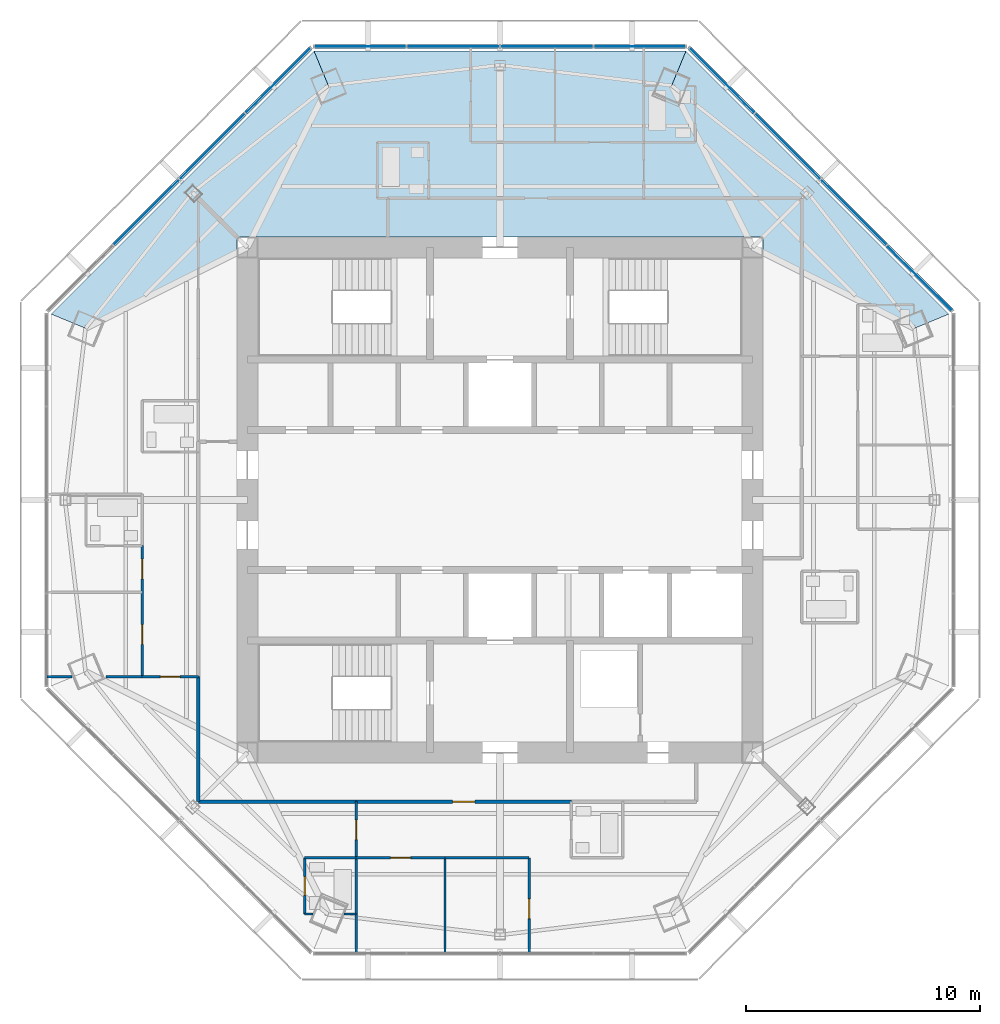
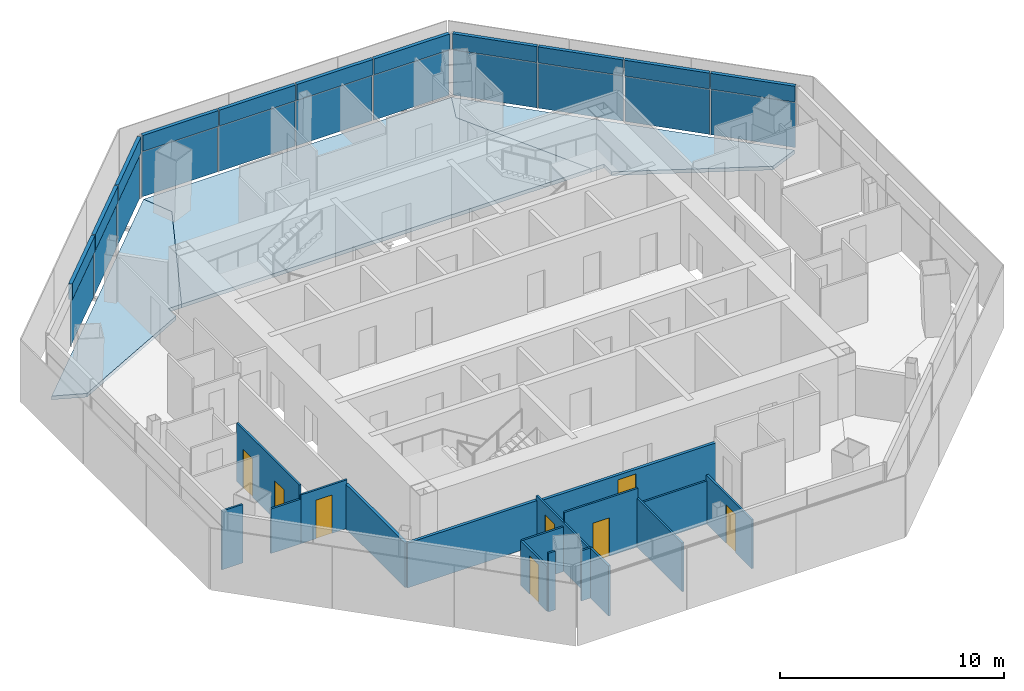
# One storey, part 8 of 15: 22 plates, 17 walls, 8 doors, 3 slabs, 8 openings, 3 elements without a shape of their own.
"""IFC4 building model written with IfcOpenShell, lengths in metres."""

from ifc_helpers import new_model, si_unit, direction, frame, frame_2d, origin, origin_2d, place, context, subcontext, project, spatial, polyline, rectangle, outline, extrude, source, transform, mapped, material, layer, layer_set, type_object, type_shapes, element, fill, aggregate, save


model = new_model("IFC4")

# Units and contexts
model_context = context("Model", 3, precision=1e-05, world=origin(), true_north=direction((0.0, 1.0)))
body_context = subcontext(model_context, "Body", "Model", "MODEL_VIEW")
ifc_project = project(units=[si_unit("LENGTHUNIT", "METRE"), si_unit("AREAUNIT", "SQUARE_METRE"), si_unit("VOLUMEUNIT", "CUBIC_METRE"), si_unit("PLANEANGLEUNIT", "RADIAN"), si_unit("MASSUNIT", "GRAM", prefix="KILO")], contexts=[model_context])

# Site, building, storey
site_placement = place(None, origin())
site = spatial("IfcSite", under=ifc_project, at=site_placement, CompositionType="ELEMENT")
building_placement = place(site_placement, origin())
building = spatial("IfcBuilding", under=site, at=building_placement, Name="Mashrafa Tower", CompositionType="ELEMENT")
storey_placement = place(building_placement, frame((0.0, 0.0, 304.800048828125)))
storey = spatial("IfcBuildingStorey", under=building, at=storey_placement, Name="L75", CompositionType="ELEMENT", Elevation=304.800048828125)

# Slabs
ifc_material_1 = material(Name="Concrete C35/45", Category="concrete")
ifc_layer_1 = layer(ifc_material_1, 0.199951171875)
ifc_layer_set_1 = layer_set([ifc_layer_1], Name="Floor slab 200")
slab_type = type_object("IfcSlabType", Name="Floor slab 200", PredefinedType="FLOOR", material=ifc_layer_set_1)
slab_1_placement = place(storey_placement, frame((0.0, 0.0, -0.199951171875)))
element("IfcSlab", 1, at=slab_1_placement, inside=storey, type_object=slab_type, Name="Floor slab L75 north-east bay", PredefinedType="FLOOR", context=body_context, shape_type="SweptSolid", body=[
    extrude(outline(polyline([(19.1923828125, 7.94970703125), (17.7197265625, 7.33984375), (11.25, 10.574951171875), (11.25, 11.25), (10.574951171875, 11.25), (7.33984375, 17.7197265625), (7.94970703125, 19.1923828125), (19.1923828125, 7.94970703125)])), origin(), (0.0, 0.0, 1.0), 0.199951171875),
])
slab_2_placement = place(storey_placement, frame((0.0, 0.0, -0.199951171875)))
element("IfcSlab", 2, at=slab_2_placement, inside=storey, type_object=slab_type, Name="Floor slab L75 north bay", PredefinedType="FLOOR", context=body_context, shape_type="SweptSolid", body=[
    extrude(outline(polyline([(-7.94970703125, 19.1923828125), (7.94970703125, 19.1923828125), (7.94970703125, 19.1923828125), (7.33984375, 17.7197265625), (10.574951171875, 11.25), (-10.574951171875, 11.25), (-7.33984375, 17.7197265625), (-7.94970703125, 19.1923828125), (-7.94970703125, 19.1923828125)])), origin(), (0.0, 0.0, 1.0), 0.199951171875),
])
slab_3_placement = place(storey_placement, frame((0.0, 0.0, -0.199951171875)))
element("IfcSlab", 3, at=slab_3_placement, inside=storey, type_object=slab_type, Name="Floor slab L75 north-west bay", PredefinedType="FLOOR", context=body_context, shape_type="SweptSolid", body=[
    extrude(outline(polyline([(-7.94970703125, 19.1923828125), (-7.33984375, 17.7197265625), (-10.574951171875, 11.25), (-11.25, 11.25), (-11.25, 10.574951171875), (-17.7197265625, 7.33984375), (-19.1923828125, 7.94970703125), (-7.94970703125, 19.1923828125)])), origin(), (0.0, 0.0, 1.0), 0.199951171875),
])

# Curtain wall, plates
ifc_material_2 = material(Name="Unitised aluminium curtain wall", Category="aluminium")
curtain_wall_type = type_object("IfcCurtainWallType", Name="Apartment curtain wall, zone 4 CW-D 160 deep", PredefinedType="NOTDEFINED", material=ifc_material_2)
curtain_wall_1_placement = place(storey_placement, origin())
curtain_wall_1 = element("IfcCurtainWall", 4, at=curtain_wall_1_placement, inside=storey, type_object=curtain_wall_type, Name="Apartment curtain wall, zone 4 L75 north-east", PredefinedType="NOTDEFINED")
ifc_material_3 = material(Name="Insulated double glazing, acoustic", Category="glass")
ifc_layer_2 = layer(ifc_material_3, 0.028076171875)
ifc_layer_set_2 = layer_set([ifc_layer_2], Name="Vision panel CW-D 28")
plate_type_1 = type_object("IfcPlateType", Name="Vision panel CW-D 28", PredefinedType="CURTAIN_PANEL", material=ifc_layer_set_2)
shared_shape_1 = source(origin(), body_context, "Body", "SweptSolid", [
    extrude(rectangle(XDim=3.90478515625, YDim=0.028076171875, at=origin_2d()), origin(), (0.0, 0.0, 1.0), 2.46240234375),
])
plate_1_placement = place(storey_placement, frame((17.93896484375, 9.486083984375, 0.0), z_axis=(0.0, 0.0, 1.0), x_axis=(-0.707106781187, 0.707106781187, 0.0)))
plate_1 = element("IfcPlate", 5, at=plate_1_placement, type_object=plate_type_1, Name="CW-D vision panel 1", PredefinedType="CURTAIN_PANEL", context=body_context, shape_type="MappedRepresentation", body=[
    mapped(shared_shape_1, transform((0.0, 0.0, 0.0))),
])
plate_2_placement = place(storey_placement, frame((9.486083984375, 17.93896484375, 0.0), z_axis=(0.0, 0.0, 1.0), x_axis=(-0.707106781187, 0.707106781187, 0.0)))
plate_2 = element("IfcPlate", 6, at=plate_2_placement, type_object=plate_type_1, Name="CW-D vision panel 4", PredefinedType="CURTAIN_PANEL", context=body_context, shape_type="MappedRepresentation", body=[
    mapped(shared_shape_1, transform((0.0, 0.0, 0.0))),
])

curtain_wall_2_placement = place(storey_placement, origin())
curtain_wall_2 = element("IfcCurtainWall", 7, at=curtain_wall_2_placement, inside=storey, type_object=curtain_wall_type, Name="Apartment curtain wall, zone 4 L75 north", PredefinedType="NOTDEFINED")
plate_3_placement = place(storey_placement, frame((5.97705078125, 19.392333984375, 0.0), z_axis=(0.0, 0.0, 1.0), x_axis=(-1.0, 0.0, 0.0)))
plate_3 = element("IfcPlate", 8, at=plate_3_placement, type_object=plate_type_1, Name="CW-D vision panel 1", PredefinedType="CURTAIN_PANEL", context=body_context, shape_type="MappedRepresentation", body=[
    mapped(shared_shape_1, transform((0.0, 0.0, 0.0))),
])
plate_4_placement = place(storey_placement, frame((-5.97705078125, 19.392333984375, 0.0), z_axis=(0.0, 0.0, 1.0), x_axis=(-1.0, 0.0, 0.0)))
plate_4 = element("IfcPlate", 9, at=plate_4_placement, type_object=plate_type_1, Name="CW-D vision panel 4", PredefinedType="CURTAIN_PANEL", context=body_context, shape_type="MappedRepresentation", body=[
    mapped(shared_shape_1, transform((0.0, 0.0, 0.0))),
])

# Curtain wall, plate
curtain_wall_3_placement = place(storey_placement, origin())
curtain_wall_3 = element("IfcCurtainWall", 10, at=curtain_wall_3_placement, inside=storey, type_object=curtain_wall_type, Name="Apartment curtain wall, zone 4 L75 north-west", PredefinedType="NOTDEFINED")
plate_5_placement = place(storey_placement, frame((-9.486083984375, 17.93896484375, 0.0), z_axis=(0.0, 0.0, 1.0), x_axis=(-0.707106781187, -0.707106781187, 0.0)))
plate_5 = element("IfcPlate", 11, at=plate_5_placement, type_object=plate_type_1, Name="CW-D vision panel 1", PredefinedType="CURTAIN_PANEL", context=body_context, shape_type="MappedRepresentation", body=[
    mapped(shared_shape_1, transform((0.0, 0.0, 0.0))),
])

# Plate
ifc_material_4 = material(Name="Insulated bronze aluminium spandrel panel", Category="aluminium")
ifc_layer_3 = layer(ifc_material_4, 0.179931640625)
ifc_layer_set_3 = layer_set([ifc_layer_3], Name="Spandrel panel CW-D 180")
plate_type_2 = type_object("IfcPlateType", Name="Spandrel panel CW-D 180", PredefinedType="CURTAIN_PANEL", material=ifc_layer_set_3)
shared_shape_2 = source(origin(), body_context, "Body", "SweptSolid", [
    extrude(rectangle(XDim=3.90478515625, YDim=0.179931640625, at=origin_2d()), origin(), (0.0, 0.0, 1.0), 0.862548828125),
])
plate_6_placement = place(storey_placement, frame((17.93896484375, 9.486083984375, 2.53759765625), z_axis=(0.0, 0.0, 1.0), x_axis=(-0.707106781187, 0.707106781187, 0.0)))
plate_6 = element("IfcPlate", 12, at=plate_6_placement, type_object=plate_type_2, Name="CW-D spandrel panel 1", PredefinedType="CURTAIN_PANEL", context=body_context, shape_type="MappedRepresentation", body=[
    mapped(shared_shape_2, transform((0.0, 0.0, 0.0))),
])

plate_7_placement = place(storey_placement, frame((9.486083984375, 17.93896484375, 2.53759765625), z_axis=(0.0, 0.0, 1.0), x_axis=(-0.707106781187, 0.707106781187, 0.0)))
plate_7 = element("IfcPlate", 13, at=plate_7_placement, type_object=plate_type_2, Name="CW-D spandrel panel 4", PredefinedType="CURTAIN_PANEL", context=body_context, shape_type="MappedRepresentation", body=[
    mapped(shared_shape_2, transform((0.0, 0.0, 0.0))),
])

plate_8_placement = place(storey_placement, frame((5.97705078125, 19.392333984375, 2.53759765625), z_axis=(0.0, 0.0, 1.0), x_axis=(-1.0, 0.0, 0.0)))
plate_8 = element("IfcPlate", 14, at=plate_8_placement, type_object=plate_type_2, Name="CW-D spandrel panel 1", PredefinedType="CURTAIN_PANEL", context=body_context, shape_type="MappedRepresentation", body=[
    mapped(shared_shape_2, transform((0.0, 0.0, 0.0))),
])

plate_9_placement = place(storey_placement, frame((-5.97705078125, 19.392333984375, 2.53759765625), z_axis=(0.0, 0.0, 1.0), x_axis=(-1.0, 0.0, 0.0)))
plate_9 = element("IfcPlate", 15, at=plate_9_placement, type_object=plate_type_2, Name="CW-D spandrel panel 4", PredefinedType="CURTAIN_PANEL", context=body_context, shape_type="MappedRepresentation", body=[
    mapped(shared_shape_2, transform((0.0, 0.0, 0.0))),
])

plate_10_placement = place(storey_placement, frame((-9.486083984375, 17.93896484375, 2.53759765625), z_axis=(0.0, 0.0, 1.0), x_axis=(-0.707106781187, -0.707106781187, 0.0)))
plate_10 = element("IfcPlate", 16, at=plate_10_placement, type_object=plate_type_2, Name="CW-D spandrel panel 1", PredefinedType="CURTAIN_PANEL", context=body_context, shape_type="MappedRepresentation", body=[
    mapped(shared_shape_2, transform((0.0, 0.0, 0.0))),
])

shared_shape_3 = source(origin(), body_context, "Body", "SweptSolid", [
    extrude(rectangle(XDim=3.934814453125, YDim=0.028076171875, at=origin_2d()), origin(), (0.0, 0.0, 1.0), 2.46240234375),
])
type_shapes(plate_type_1, [shared_shape_1, shared_shape_3])
plate_11_placement = place(storey_placement, frame((15.124755859375, 12.300048828125, 0.0), z_axis=(0.0, 0.0, 1.0), x_axis=(-0.707106781187, 0.707106781187, 0.0)))
plate_11 = element("IfcPlate", 17, at=plate_11_placement, type_object=plate_type_1, Name="CW-D vision panel 2", PredefinedType="CURTAIN_PANEL", context=body_context, shape_type="MappedRepresentation", body=[
    mapped(shared_shape_3, transform((0.0, 0.0, 0.0))),
])

plate_12_placement = place(storey_placement, frame((12.300048828125, 15.124755859375, 0.0), z_axis=(0.0, 0.0, 1.0), x_axis=(-0.707106781187, 0.707106781187, 0.0)))
plate_12 = element("IfcPlate", 18, at=plate_12_placement, type_object=plate_type_1, Name="CW-D vision panel 3", PredefinedType="CURTAIN_PANEL", context=body_context, shape_type="MappedRepresentation", body=[
    mapped(shared_shape_3, transform((0.0, 0.0, 0.0))),
])

plate_13_placement = place(storey_placement, frame((1.997314453125, 19.392333984375, 0.0), z_axis=(0.0, 0.0, 1.0), x_axis=(-1.0, 0.0, 0.0)))
plate_13 = element("IfcPlate", 19, at=plate_13_placement, type_object=plate_type_1, Name="CW-D vision panel 2", PredefinedType="CURTAIN_PANEL", context=body_context, shape_type="MappedRepresentation", body=[
    mapped(shared_shape_3, transform((0.0, 0.0, 0.0))),
])

plate_14_placement = place(storey_placement, frame((-1.997314453125, 19.392333984375, 0.0), z_axis=(0.0, 0.0, 1.0), x_axis=(-1.0, 0.0, 0.0)))
plate_14 = element("IfcPlate", 20, at=plate_14_placement, type_object=plate_type_1, Name="CW-D vision panel 3", PredefinedType="CURTAIN_PANEL", context=body_context, shape_type="MappedRepresentation", body=[
    mapped(shared_shape_3, transform((0.0, 0.0, 0.0))),
])

plate_15_placement = place(storey_placement, frame((-12.300048828125, 15.124755859375, 0.0), z_axis=(0.0, 0.0, 1.0), x_axis=(-0.707106781187, -0.707106781187, 0.0)))
plate_15 = element("IfcPlate", 21, at=plate_15_placement, type_object=plate_type_1, Name="CW-D vision panel 2", PredefinedType="CURTAIN_PANEL", context=body_context, shape_type="MappedRepresentation", body=[
    mapped(shared_shape_3, transform((0.0, 0.0, 0.0))),
])

plate_16_placement = place(storey_placement, frame((-15.124755859375, 12.300048828125, 0.0), z_axis=(0.0, 0.0, 1.0), x_axis=(-0.707106781187, -0.707106781187, 0.0)))
plate_16 = element("IfcPlate", 22, at=plate_16_placement, type_object=plate_type_1, Name="CW-D vision panel 3", PredefinedType="CURTAIN_PANEL", context=body_context, shape_type="MappedRepresentation", body=[
    mapped(shared_shape_3, transform((0.0, 0.0, 0.0))),
])

shared_shape_4 = source(origin(), body_context, "Body", "SweptSolid", [
    extrude(rectangle(XDim=3.934814453125, YDim=0.179931640625, at=origin_2d()), origin(), (0.0, 0.0, 1.0), 0.862548828125),
])
type_shapes(plate_type_2, [shared_shape_2, shared_shape_4])
plate_17_placement = place(storey_placement, frame((15.124755859375, 12.300048828125, 2.53759765625), z_axis=(0.0, 0.0, 1.0), x_axis=(-0.707106781187, 0.707106781187, 0.0)))
plate_17 = element("IfcPlate", 23, at=plate_17_placement, type_object=plate_type_2, Name="CW-D spandrel panel 2", PredefinedType="CURTAIN_PANEL", context=body_context, shape_type="MappedRepresentation", body=[
    mapped(shared_shape_4, transform((0.0, 0.0, 0.0))),
])

plate_18_placement = place(storey_placement, frame((12.300048828125, 15.124755859375, 2.53759765625), z_axis=(0.0, 0.0, 1.0), x_axis=(-0.707106781187, 0.707106781187, 0.0)))
plate_18 = element("IfcPlate", 24, at=plate_18_placement, type_object=plate_type_2, Name="CW-D spandrel panel 3", PredefinedType="CURTAIN_PANEL", context=body_context, shape_type="MappedRepresentation", body=[
    mapped(shared_shape_4, transform((0.0, 0.0, 0.0))),
])

aggregate(curtain_wall_1, [plate_1, plate_6, plate_11, plate_17, plate_12, plate_18, plate_2, plate_7])

plate_19_placement = place(storey_placement, frame((1.997314453125, 19.392333984375, 2.53759765625), z_axis=(0.0, 0.0, 1.0), x_axis=(-1.0, 0.0, 0.0)))
plate_19 = element("IfcPlate", 25, at=plate_19_placement, type_object=plate_type_2, Name="CW-D spandrel panel 2", PredefinedType="CURTAIN_PANEL", context=body_context, shape_type="MappedRepresentation", body=[
    mapped(shared_shape_4, transform((0.0, 0.0, 0.0))),
])

plate_20_placement = place(storey_placement, frame((-1.997314453125, 19.392333984375, 2.53759765625), z_axis=(0.0, 0.0, 1.0), x_axis=(-1.0, 0.0, 0.0)))
plate_20 = element("IfcPlate", 26, at=plate_20_placement, type_object=plate_type_2, Name="CW-D spandrel panel 3", PredefinedType="CURTAIN_PANEL", context=body_context, shape_type="MappedRepresentation", body=[
    mapped(shared_shape_4, transform((0.0, 0.0, 0.0))),
])

aggregate(curtain_wall_2, [plate_3, plate_8, plate_13, plate_19, plate_14, plate_20, plate_4, plate_9])

plate_21_placement = place(storey_placement, frame((-12.300048828125, 15.124755859375, 2.53759765625), z_axis=(0.0, 0.0, 1.0), x_axis=(-0.707106781187, -0.707106781187, 0.0)))
plate_21 = element("IfcPlate", 27, at=plate_21_placement, type_object=plate_type_2, Name="CW-D spandrel panel 2", PredefinedType="CURTAIN_PANEL", context=body_context, shape_type="MappedRepresentation", body=[
    mapped(shared_shape_4, transform((0.0, 0.0, 0.0))),
])

plate_22_placement = place(storey_placement, frame((-15.124755859375, 12.300048828125, 2.53759765625), z_axis=(0.0, 0.0, 1.0), x_axis=(-0.707106781187, -0.707106781187, 0.0)))
plate_22 = element("IfcPlate", 28, at=plate_22_placement, type_object=plate_type_2, Name="CW-D spandrel panel 3", PredefinedType="CURTAIN_PANEL", context=body_context, shape_type="MappedRepresentation", body=[
    mapped(shared_shape_4, transform((0.0, 0.0, 0.0))),
])

aggregate(curtain_wall_3, [plate_5, plate_10, plate_15, plate_21, plate_16, plate_22])

# Walls
ifc_material_5 = material(Name="Gypsum board on steel studs", Category="steel")
ifc_layer_4 = layer(ifc_material_5, 0.14990234375)
ifc_layer_set_4 = layer_set([ifc_layer_4], Name="Corridor partition 150 1 hr")
wall_type_1 = type_object("IfcWallType", Name="Corridor partition 150 1 hr", PredefinedType="PARTITIONING", material=ifc_layer_set_4)
wall_1_placement = place(storey_placement, frame((-12.89990234375, -7.549072265625, 0.0), z_axis=(0.0, 0.0, 1.0), x_axis=(0.0, -1.0, 0.0)))
element("IfcWall", 29, at=wall_1_placement, inside=storey, type_object=wall_type_1, Name="Corridor wall L75-009", PredefinedType="PARTITIONING", context=body_context, shape_type="SweptSolid", body=[
    extrude(rectangle(XDim=5.350830078125, YDim=0.14990234375, at=frame_2d((2.67529296875, 0.0))), origin(), (0.0, 0.0, 1.0), 2.435546875),
])
wall_2_placement = place(storey_placement, frame((-12.89990234375, -12.89990234375, 0.0), z_axis=(0.0, 0.0, 1.0), x_axis=(1.0, 0.0, 0.0)))
element("IfcWall", 30, at=wall_2_placement, inside=storey, type_object=wall_type_1, Name="Corridor wall L75-013", PredefinedType="PARTITIONING", context=body_context, shape_type="SweptSolid", body=[
    extrude(rectangle(XDim=6.7509765625, YDim=0.14990234375, at=frame_2d((3.37548828125, 0.0))), origin(), (0.0, 0.0, 1.0), 2.435546875),
])

# Wall, opening, door
wall_3_placement = place(storey_placement, frame((-6.15087890625, -12.89990234375, 0.0), z_axis=(0.0, 0.0, 1.0), x_axis=(1.0, 0.0, 0.0)))
wall_3 = element("IfcWall", 31, at=wall_3_placement, inside=storey, type_object=wall_type_1, Name="Corridor wall L75-014", PredefinedType="PARTITIONING", context=body_context, shape_type="SweptSolid", body=[
    extrude(rectangle(XDim=9.201904296875, YDim=0.14990234375, at=frame_2d((4.60107421875, 0.0))), origin(), (0.0, 0.0, 1.0), 2.349365234375),
])
opening_1_placement = place(wall_3_placement, frame((4.1259765625, 0.0, 0.0)))
opening_1 = element("IfcOpeningElement", 32, at=opening_1_placement, cuts=wall_3, Name="Opening 75.024", PredefinedType="OPENING", context=body_context, shape_type="SweptSolid", body=[
    extrude(rectangle(XDim=0.949951171875, YDim=2.10009765625, at=frame_2d((0.47509765625, 1.050048828125))), frame((0.0, 0.0849609375, 0.0), z_axis=(0.0, -1.0, 0.0), x_axis=(1.0, 0.0, 0.0)), (0.0, 0.0, 1.0), 0.169921875),
])
ifc_material_6 = material(Name="Steel door", Category="steel")
door_type_1 = type_object("IfcDoorType", Name="Residence entrance door 950 x 2100 20 min", OperationType="USERDEFINED", PredefinedType="DOOR", material=ifc_material_6)
door_1_placement = place(opening_1_placement, frame((0.949951171875, 0.0, 0.0), z_axis=(0.0, 0.0, 1.0), x_axis=(-1.0, 0.0, 0.0)))
door_1 = element("IfcDoor", 33, at=door_1_placement, inside=storey, type_object=door_type_1, Name="Apartment 7504 Living Room door", OperationType="SINGLE_SWING_RIGHT", OverallHeight=2.10009765625, OverallWidth=0.949951171875, PredefinedType="DOOR", context=body_context, shape_type="SweptSolid", body=[
    extrude(rectangle(XDim=0.949951171875, YDim=2.10009765625, at=frame_2d((0.47509765625, 1.050048828125))), frame((0.0, 0.02490234375, 0.0), z_axis=(0.0, -1.0, 0.0), x_axis=(1.0, 0.0, 0.0)), (0.0, 0.0, 1.0), 0.050048828125),
])
fill(opening_1, door_1)

# Wall, openings, doors
ifc_material_7 = material(Name="Gypsum board on steel studs", Category="steel")
ifc_layer_5 = layer(ifc_material_7, 0.10009765625)
ifc_layer_set_5 = layer_set([ifc_layer_5], Name="Partition 100")
wall_type_2 = type_object("IfcWallType", Name="Partition 100", PredefinedType="PARTITIONING", material=ifc_layer_set_5)
wall_4_placement = place(storey_placement, frame((-15.300048828125, -1.949951171875, 0.0), z_axis=(0.0, 0.0, 1.0), x_axis=(0.0, -1.0, 0.0)))
wall_4 = element("IfcWall", 34, at=wall_4_placement, inside=storey, type_object=wall_type_2, Name="Partition wall L75-061", PredefinedType="PARTITIONING", context=body_context, shape_type="SweptSolid", body=[
    extrude(rectangle(XDim=5.60009765625, YDim=0.10009765625, at=frame_2d((2.800048828125, 0.0))), origin(), (0.0, 0.0, 1.0), 3.199951171875),
])
opening_2_placement = place(wall_4_placement, frame((0.574951171875, 0.0, 0.0)))
opening_2 = element("IfcOpeningElement", 35, at=opening_2_placement, cuts=wall_4, Name="Opening 75.015", PredefinedType="OPENING", context=body_context, shape_type="SweptSolid", body=[
    extrude(rectangle(XDim=0.85009765625, YDim=2.10009765625, at=frame_2d((0.425048828125, 1.050048828125))), frame((0.0, 0.06005859375, 0.0), z_axis=(0.0, -1.0, 0.0), x_axis=(1.0, 0.0, 0.0)), (0.0, 0.0, 1.0), 0.1201171875),
])
opening_3_placement = place(wall_4_placement, frame((3.375, 0.0, 0.0)))
opening_3 = element("IfcOpeningElement", 36, at=opening_3_placement, cuts=wall_4, Name="Opening 75.016", PredefinedType="OPENING", context=body_context, shape_type="SweptSolid", body=[
    extrude(rectangle(XDim=0.85009765625, YDim=2.10009765625, at=frame_2d((0.425048828125, 1.050048828125))), frame((0.0, 0.06005859375, 0.0), z_axis=(0.0, -1.0, 0.0), x_axis=(1.0, 0.0, 0.0)), (0.0, 0.0, 1.0), 0.1201171875),
])
ifc_material_8 = material(Name="Timber door", Category="wood")
door_type_2 = type_object("IfcDoorType", Name="Bedroom door 850 x 2100", OperationType="USERDEFINED", PredefinedType="DOOR", material=ifc_material_8)
door_2_placement = place(opening_2_placement, frame((0.85009765625, 0.0, 0.0), z_axis=(0.0, 0.0, 1.0), x_axis=(-1.0, 0.0, 0.0)))
door_2 = element("IfcDoor", 37, at=door_2_placement, inside=storey, type_object=door_type_2, Name="Apartment 7503 Bedroom 1 door", OperationType="SINGLE_SWING_LEFT", OverallHeight=2.10009765625, OverallWidth=0.85009765625, PredefinedType="DOOR", context=body_context, shape_type="SweptSolid", body=[
    extrude(rectangle(XDim=0.85009765625, YDim=2.10009765625, at=frame_2d((0.425048828125, 1.050048828125))), frame((0.0, 0.02490234375, 0.0), z_axis=(0.0, -1.0, 0.0), x_axis=(1.0, 0.0, 0.0)), (0.0, 0.0, 1.0), 0.050048828125),
])
fill(opening_2, door_2)
door_3_placement = place(opening_3_placement, frame((0.85009765625, 0.0, 0.0), z_axis=(0.0, 0.0, 1.0), x_axis=(-1.0, 0.0, 0.0)))
door_3 = element("IfcDoor", 38, at=door_3_placement, inside=storey, type_object=door_type_2, Name="Apartment 7503 Bedroom 2 door", OperationType="SINGLE_SWING_RIGHT", OverallHeight=2.10009765625, OverallWidth=0.85009765625, PredefinedType="DOOR", context=body_context, shape_type="SweptSolid", body=[
    extrude(rectangle(XDim=0.85009765625, YDim=2.10009765625, at=frame_2d((0.425048828125, 1.050048828125))), frame((0.0, 0.02490234375, 0.0), z_axis=(0.0, -1.0, 0.0), x_axis=(1.0, 0.0, 0.0)), (0.0, 0.0, 1.0), 0.050048828125),
])
fill(opening_3, door_3)

# Walls
wall_5_placement = place(storey_placement, frame((-19.37451171875, -7.550048828125, 0.0), z_axis=(0.0, 0.0, 1.0), x_axis=(1.0, 0.0, 0.0)))
element("IfcWall", 39, at=wall_5_placement, inside=storey, type_object=wall_type_2, Name="Partition wall L75-062", PredefinedType="PARTITIONING", context=body_context, shape_type="SweptSolid", body=[
    extrude(rectangle(XDim=1.078125, YDim=0.10009765625, at=frame_2d((0.5390625, 0.0))), origin(), (0.0, 0.0, 1.0), 3.199951171875),
])
wall_6_placement = place(storey_placement, frame((-16.843017578125, -7.550048828125, 0.0), z_axis=(0.0, 0.0, 1.0), x_axis=(1.0, 0.0, 0.0)))
element("IfcWall", 40, at=wall_6_placement, inside=storey, type_object=wall_type_2, Name="Partition wall L75-063", PredefinedType="PARTITIONING", context=body_context, shape_type="SweptSolid", body=[
    extrude(rectangle(XDim=1.54296875, YDim=0.10009765625, at=frame_2d((0.771484375, 0.0))), origin(), (0.0, 0.0, 1.0), 2.435546875),
])

# Wall, opening, door
wall_7_placement = place(storey_placement, frame((-12.89990234375, -7.550048828125, 0.0), z_axis=(0.0, 0.0, 1.0), x_axis=(-1.0, 0.0, 0.0)))
wall_7 = element("IfcWall", 41, at=wall_7_placement, inside=storey, type_object=wall_type_2, Name="Partition wall L75-065", PredefinedType="PARTITIONING", context=body_context, shape_type="SweptSolid", body=[
    extrude(rectangle(XDim=2.401123046875, YDim=0.10009765625, at=frame_2d((1.20068359375, 0.0))), origin(), (0.0, 0.0, 1.0), 2.66162109375),
])
opening_4_placement = place(wall_7_placement, frame((0.775390625, 0.0, 0.0)))
opening_4 = element("IfcOpeningElement", 42, at=opening_4_placement, cuts=wall_7, Name="Opening 75.017", PredefinedType="OPENING", context=body_context, shape_type="SweptSolid", body=[
    extrude(rectangle(XDim=0.85009765625, YDim=2.10009765625, at=frame_2d((0.425048828125, 1.050048828125))), frame((0.0, 0.06005859375, 0.0), z_axis=(0.0, -1.0, 0.0), x_axis=(1.0, 0.0, 0.0)), (0.0, 0.0, 1.0), 0.1201171875),
])
door_4_placement = place(opening_4_placement, origin())
door_4 = element("IfcDoor", 43, at=door_4_placement, inside=storey, type_object=door_type_2, Name="Apartment 7503 Bedroom 3 door", OperationType="SINGLE_SWING_LEFT", OverallHeight=2.10009765625, OverallWidth=0.85009765625, PredefinedType="DOOR", context=body_context, shape_type="SweptSolid", body=[
    extrude(rectangle(XDim=0.85009765625, YDim=2.10009765625, at=frame_2d((0.425048828125, 1.050048828125))), frame((0.0, 0.02490234375, 0.0), z_axis=(0.0, -1.0, 0.0), x_axis=(1.0, 0.0, 0.0)), (0.0, 0.0, 1.0), 0.050048828125),
])
fill(opening_4, door_4)

# Wall
wall_8_placement = place(storey_placement, frame((-2.35009765625, -15.300048828125, 0.0), z_axis=(0.0, 0.0, 1.0), x_axis=(0.0, -1.0, 0.0)))
element("IfcWall", 44, at=wall_8_placement, inside=storey, type_object=wall_type_2, Name="Partition wall L75-070", PredefinedType="PARTITIONING", context=body_context, shape_type="SweptSolid", body=[
    extrude(rectangle(XDim=4.074462890625, YDim=0.10009765625, at=frame_2d((2.037109375, 0.0))), origin(), (0.0, 0.0, 1.0), 2.66162109375),
])

# Wall, opening, door
wall_9_placement = place(storey_placement, frame((1.25, -19.37646484375, 0.0), z_axis=(0.0, 0.0, 1.0), x_axis=(0.0, 1.0, 0.0)))
wall_9 = element("IfcWall", 45, at=wall_9_placement, inside=storey, type_object=wall_type_2, Name="Partition wall L75-071", PredefinedType="PARTITIONING", context=body_context, shape_type="SweptSolid", body=[
    extrude(rectangle(XDim=4.076416015625, YDim=0.10009765625, at=frame_2d((2.0380859375, 0.0))), origin(), (0.0, 0.0, 1.0), 2.66162109375),
])
opening_5_placement = place(wall_9_placement, frame((1.47509765625, 0.0, 0.0)))
opening_5 = element("IfcOpeningElement", 46, at=opening_5_placement, cuts=wall_9, Name="Opening 75.020", PredefinedType="OPENING", context=body_context, shape_type="SweptSolid", body=[
    extrude(rectangle(XDim=0.85009765625, YDim=2.10009765625, at=frame_2d((0.425048828125, 1.050048828125))), frame((0.0, 0.06005859375, 0.0), z_axis=(0.0, -1.0, 0.0), x_axis=(1.0, 0.0, 0.0)), (0.0, 0.0, 1.0), 0.1201171875),
])
door_5_placement = place(opening_5_placement, origin())
door_5 = element("IfcDoor", 47, at=door_5_placement, inside=storey, type_object=door_type_2, Name="Apartment 7504 Majlis door", OperationType="SINGLE_SWING_LEFT", OverallHeight=2.10009765625, OverallWidth=0.85009765625, PredefinedType="DOOR", context=body_context, shape_type="SweptSolid", body=[
    extrude(rectangle(XDim=0.85009765625, YDim=2.10009765625, at=frame_2d((0.425048828125, 1.050048828125))), frame((0.0, 0.02490234375, 0.0), z_axis=(0.0, -1.0, 0.0), x_axis=(1.0, 0.0, 0.0)), (0.0, 0.0, 1.0), 0.050048828125),
])
fill(opening_5, door_5)

# Wall
wall_10_placement = place(storey_placement, frame((1.25, -15.300048828125, 0.0), z_axis=(0.0, 0.0, 1.0), x_axis=(-1.0, 0.0, 0.0)))
element("IfcWall", 48, at=wall_10_placement, inside=storey, type_object=wall_type_2, Name="Partition wall L75-072", PredefinedType="PARTITIONING", context=body_context, shape_type="SweptSolid", body=[
    extrude(rectangle(XDim=3.60009765625, YDim=0.10009765625, at=frame_2d((1.800048828125, 0.0))), origin(), (0.0, 0.0, 1.0), 2.349365234375),
])

# Wall, opening, door
wall_11_placement = place(storey_placement, frame((-6.14990234375, -17.700927734375, 0.0), z_axis=(0.0, 0.0, 1.0), x_axis=(0.0, 1.0, 0.0)))
wall_11 = element("IfcWall", 49, at=wall_11_placement, inside=storey, type_object=wall_type_2, Name="Partition wall L75-073", PredefinedType="PARTITIONING", context=body_context, shape_type="SweptSolid", body=[
    extrude(rectangle(XDim=4.801025390625, YDim=0.10009765625, at=frame_2d((2.400390625, 0.0))), origin(), (0.0, 0.0, 1.0), 2.66162109375),
])
opening_6_placement = place(wall_11_placement, frame((3.176025390625, 0.0, 0.0)))
opening_6 = element("IfcOpeningElement", 50, at=opening_6_placement, cuts=wall_11, Name="Opening 75.023", PredefinedType="OPENING", context=body_context, shape_type="SweptSolid", body=[
    extrude(rectangle(XDim=0.85009765625, YDim=2.10009765625, at=frame_2d((0.425048828125, 1.050048828125))), frame((0.0, 0.06005859375, 0.0), z_axis=(0.0, -1.0, 0.0), x_axis=(1.0, 0.0, 0.0)), (0.0, 0.0, 1.0), 0.1201171875),
])
door_6_placement = place(opening_6_placement, origin())
door_6 = element("IfcDoor", 51, at=door_6_placement, inside=storey, type_object=door_type_2, Name="Apartment 7504 Bedroom 2 door", OperationType="SINGLE_SWING_RIGHT", OverallHeight=2.10009765625, OverallWidth=0.85009765625, PredefinedType="DOOR", context=body_context, shape_type="SweptSolid", body=[
    extrude(rectangle(XDim=0.85009765625, YDim=2.10009765625, at=frame_2d((0.425048828125, 1.050048828125))), frame((0.0, 0.02490234375, 0.0), z_axis=(0.0, -1.0, 0.0), x_axis=(1.0, 0.0, 0.0)), (0.0, 0.0, 1.0), 0.050048828125),
])
fill(opening_6, door_6)

# Wall
wall_12_placement = place(storey_placement, frame((-6.14990234375, -17.698974609375, 0.0), z_axis=(0.0, 0.0, 1.0), x_axis=(0.0, -1.0, 0.0)))
element("IfcWall", 52, at=wall_12_placement, inside=storey, type_object=wall_type_2, Name="Partition wall L75-074", PredefinedType="PARTITIONING", context=body_context, shape_type="SweptSolid", body=[
    extrude(rectangle(XDim=1.675537109375, YDim=0.10009765625, at=frame_2d((0.837890625, 0.0))), origin(), (0.0, 0.0, 1.0), 2.740234375),
])

# Wall, opening, door
wall_13_placement = place(storey_placement, frame((-2.35009765625, -15.300048828125, 0.0), z_axis=(0.0, 0.0, 1.0), x_axis=(-1.0, 0.0, 0.0)))
wall_13 = element("IfcWall", 53, at=wall_13_placement, inside=storey, type_object=wall_type_2, Name="Partition wall L75-075", PredefinedType="PARTITIONING", context=body_context, shape_type="SweptSolid", body=[
    extrude(rectangle(XDim=3.7998046875, YDim=0.10009765625, at=frame_2d((1.89990234375, 0.0))), origin(), (0.0, 0.0, 1.0), 3.199951171875),
])
opening_7_placement = place(wall_13_placement, frame((1.47509765625, 0.0, 0.0)))
opening_7 = element("IfcOpeningElement", 54, at=opening_7_placement, cuts=wall_13, Name="Opening 75.021", PredefinedType="OPENING", context=body_context, shape_type="SweptSolid", body=[
    extrude(rectangle(XDim=0.85009765625, YDim=2.10009765625, at=frame_2d((0.425048828125, 1.050048828125))), frame((0.0, 0.06005859375, 0.0), z_axis=(0.0, -1.0, 0.0), x_axis=(1.0, 0.0, 0.0)), (0.0, 0.0, 1.0), 0.1201171875),
])
door_7_placement = place(opening_7_placement, origin())
door_7 = element("IfcDoor", 55, at=door_7_placement, inside=storey, type_object=door_type_2, Name="Apartment 7504 Bedroom 1 door", OperationType="SINGLE_SWING_LEFT", OverallHeight=2.10009765625, OverallWidth=0.85009765625, PredefinedType="DOOR", context=body_context, shape_type="SweptSolid", body=[
    extrude(rectangle(XDim=0.85009765625, YDim=2.10009765625, at=frame_2d((0.425048828125, 1.050048828125))), frame((0.0, 0.02490234375, 0.0), z_axis=(0.0, -1.0, 0.0), x_axis=(1.0, 0.0, 0.0)), (0.0, 0.0, 1.0), 0.050048828125),
])
fill(opening_7, door_7)

# Wall
wall_14_placement = place(storey_placement, frame((-6.14990234375, -15.300048828125, 0.0), z_axis=(0.0, 0.0, 1.0), x_axis=(-1.0, 0.0, 0.0)))
element("IfcWall", 56, at=wall_14_placement, inside=storey, type_object=wall_type_2, Name="Partition wall L75-076", PredefinedType="PARTITIONING", context=body_context, shape_type="SweptSolid", body=[
    extrude(rectangle(XDim=2.2001953125, YDim=0.10009765625, at=frame_2d((1.10009765625, 0.0))), origin(), (0.0, 0.0, 1.0), 2.435546875),
])

# Wall, opening, door
wall_15_placement = place(storey_placement, frame((-8.35009765625, -15.300048828125, 0.0), z_axis=(0.0, 0.0, 1.0), x_axis=(0.0, -1.0, 0.0)))
wall_15 = element("IfcWall", 57, at=wall_15_placement, inside=storey, type_object=wall_type_2, Name="Partition wall L75-077", PredefinedType="PARTITIONING", context=body_context, shape_type="SweptSolid", body=[
    extrude(rectangle(XDim=2.39990234375, YDim=0.10009765625, at=frame_2d((1.199951171875, 0.0))), origin(), (0.0, 0.0, 1.0), 2.435546875),
])
opening_8_placement = place(wall_15_placement, frame((0.800048828125, 0.0, 0.0)))
opening_8 = element("IfcOpeningElement", 58, at=opening_8_placement, cuts=wall_15, Name="Opening 75.022", PredefinedType="OPENING", context=body_context, shape_type="SweptSolid", body=[
    extrude(rectangle(XDim=0.800048828125, YDim=2.10009765625, at=frame_2d((0.39990234375, 1.050048828125))), frame((0.0, 0.06005859375, 0.0), z_axis=(0.0, -1.0, 0.0), x_axis=(1.0, 0.0, 0.0)), (0.0, 0.0, 1.0), 0.1201171875),
])
ifc_material_9 = material(Name="Timber door", Category="wood")
door_type_3 = type_object("IfcDoorType", Name="Bathroom door 800 x 2100", OperationType="USERDEFINED", PredefinedType="DOOR", material=ifc_material_9)
door_8_placement = place(opening_8_placement, origin())
door_8 = element("IfcDoor", 59, at=door_8_placement, inside=storey, type_object=door_type_3, Name="Apartment 7504 En-suite Bathroom door", OperationType="SINGLE_SWING_LEFT", OverallHeight=2.10009765625, OverallWidth=0.800048828125, PredefinedType="DOOR", context=body_context, shape_type="SweptSolid", body=[
    extrude(rectangle(XDim=0.800048828125, YDim=2.10009765625, at=frame_2d((0.39990234375, 1.050048828125))), frame((0.0, 0.02490234375, 0.0), z_axis=(0.0, -1.0, 0.0), x_axis=(1.0, 0.0, 0.0)), (0.0, 0.0, 1.0), 0.050048828125),
])
fill(opening_8, door_8)

# Walls
wall_16_placement = place(storey_placement, frame((-8.35009765625, -17.699951171875, 0.0), z_axis=(0.0, 0.0, 1.0), x_axis=(1.0, 0.0, 0.0)))
element("IfcWall", 60, at=wall_16_placement, inside=storey, type_object=wall_type_2, Name="Partition wall L75-078", PredefinedType="PARTITIONING", context=body_context, shape_type="SweptSolid", body=[
    extrude(rectangle(XDim=0.348388671875, YDim=0.10009765625, at=frame_2d((0.17431640625, 0.0))), origin(), (0.0, 0.0, 1.0), 3.199951171875),
])
wall_17_placement = place(storey_placement, frame((-6.66162109375, -17.699951171875, 0.0), z_axis=(0.0, 0.0, 1.0), x_axis=(1.0, 0.0, 0.0)))
element("IfcWall", 61, at=wall_17_placement, inside=storey, type_object=wall_type_2, Name="Partition wall L75-079", PredefinedType="PARTITIONING", context=body_context, shape_type="SweptSolid", body=[
    extrude(rectangle(XDim=0.51171875, YDim=0.10009765625, at=frame_2d((0.255859375, 0.0))), origin(), (0.0, 0.0, 1.0), 2.740234375),
])

save(model, "model.ifc")
